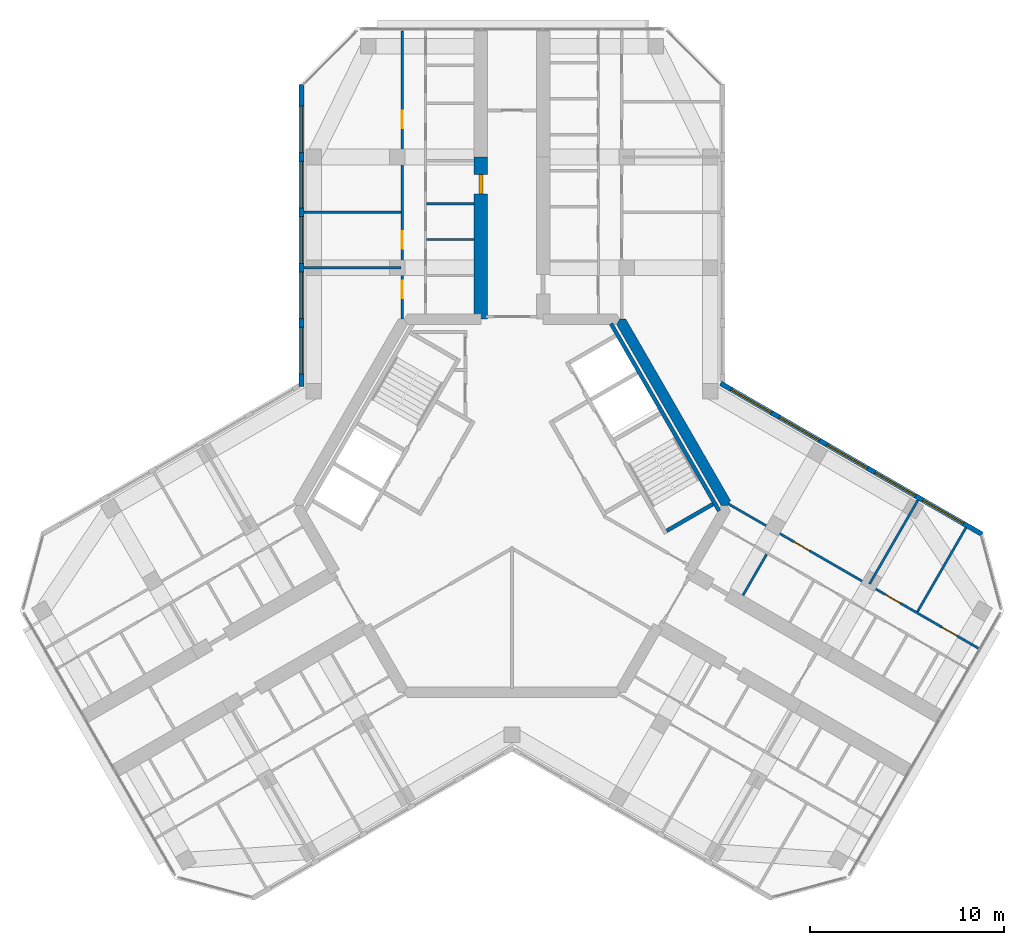
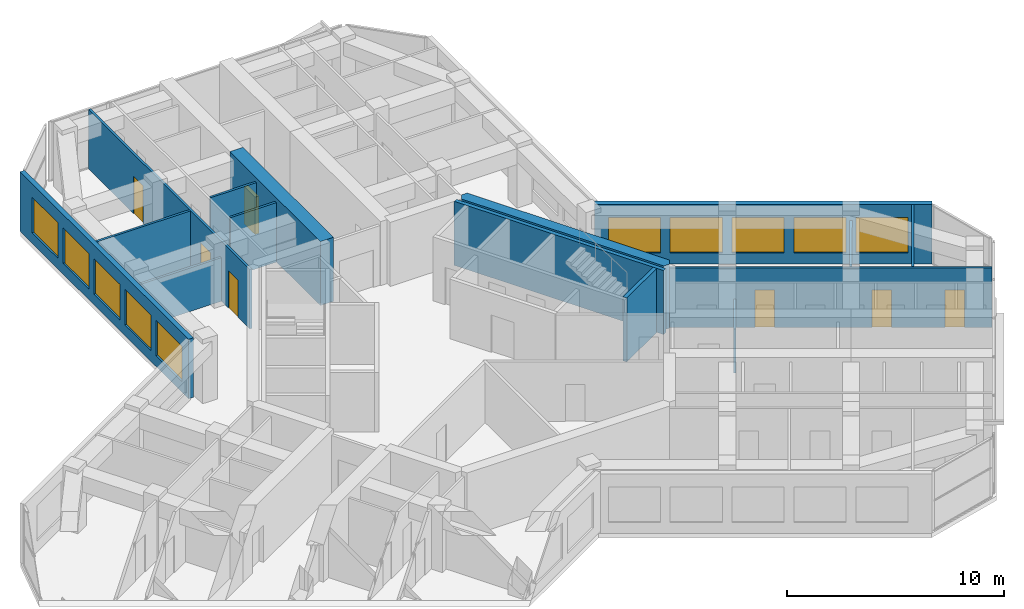
# One storey, part 11 of 14: 15 walls, 10 windows, 7 doors, 17 openings.
"""IFC4 building model written with IfcOpenShell, lengths in metres."""

from ifc_helpers import new_model, si_unit, direction, frame, frame_2d, origin, place, context, subcontext, project, spatial, polyline, rectangle, outline, extrude, material, layer, layer_set, type_object, element, fill, save


model = new_model("IFC4")

# Units and contexts
model_context = context("Model", 3, precision=1e-05, world=origin(), true_north=direction((0.0, 1.0)))
body_context = subcontext(model_context, "Body", "Model", "MODEL_VIEW")
ifc_project = project(units=[si_unit("LENGTHUNIT", "METRE"), si_unit("AREAUNIT", "SQUARE_METRE"), si_unit("VOLUMEUNIT", "CUBIC_METRE"), si_unit("PLANEANGLEUNIT", "RADIAN"), si_unit("MASSUNIT", "GRAM", prefix="KILO")], contexts=[model_context])

# Site, building, storey
site_placement = place(None, origin())
site = spatial("IfcSite", under=ifc_project, at=site_placement, CompositionType="ELEMENT")
building_placement = place(site_placement, origin())
building = spatial("IfcBuilding", under=site, at=building_placement, Name="Kosmar Iwan School Tower", CompositionType="ELEMENT")
storey_placement = place(building_placement, frame((0.0, 0.0, 274.60009765625)))
storey = spatial("IfcBuildingStorey", under=building, at=storey_placement, Name="L69", CompositionType="ELEMENT", Elevation=274.60009765625)

# Wall
ifc_material_1 = material(Name="Concrete C50/60", Category="concrete")
ifc_layer_1 = layer(ifc_material_1, 0.550048828125)
ifc_layer_set_1 = layer_set([ifc_layer_1], Name="Core wall 550")
wall_type_1 = type_object("IfcWallType", Name="Core wall 550", PredefinedType="SHEAR", material=ifc_layer_set_1)
wall_1_placement = place(storey_placement, origin())
element("IfcWall", 1, at=wall_1_placement, inside=storey, type_object=wall_type_1, Name="Core wall F030", PredefinedType="SHEAR", context=body_context, shape_type="SweptSolid", body=[
    extrude(outline(polyline([(10.767578125, 0.0), (11.085205078125, 0.0), (11.243896484375, 0.27490234375), (5.860107421875, 9.60009765625), (5.54248046875, 9.60009765625), (5.3837890625, 9.324951171875), (10.767578125, 0.0)])), origin(), (0.0, 0.0, 1.0), 3.599853515625),
])

# Wall, opening, door
ifc_material_2 = material(Name="Concrete C50/60", Category="concrete")
ifc_layer_2 = layer(ifc_material_2, 0.699951171875)
ifc_layer_set_2 = layer_set([ifc_layer_2], Name="Corridor buttress wall 700")
wall_type_2 = type_object("IfcWallType", Name="Corridor buttress wall 700", PredefinedType="SHEAR", material=ifc_layer_set_2)
wall_2_placement = place(storey_placement, frame((-1.60009765625, 9.60009765625, 0.0), z_axis=(0.0, 0.0, 1.0), x_axis=(0.0, 1.0, 0.0)))
wall_2 = element("IfcWall", 2, at=wall_2_placement, inside=storey, type_object=wall_type_2, Name="Corridor wall AL", PredefinedType="SHEAR", context=body_context, shape_type="SweptSolid", body=[
    extrude(rectangle(XDim=8.349853515625, YDim=0.699951171875, at=frame_2d((4.1748046875, 0.0))), origin(), (0.0, 0.0, 1.0), 3.599853515625),
])
opening_1_placement = place(wall_2_placement, frame((6.449951171875, 0.0, 0.0)))
opening_1 = element("IfcOpeningElement", 3, at=opening_1_placement, cuts=wall_2, Name="Opening D1", PredefinedType="OPENING", context=body_context, shape_type="SweptSolid", body=[
    extrude(rectangle(XDim=1.0, YDim=2.10009765625, at=frame_2d((0.5, 1.050048828125))), frame((0.0, 0.362060546875, 0.0), z_axis=(0.0, -1.0, 0.0), x_axis=(1.0, 0.0, 0.0)), (0.0, 0.0, 1.0), 0.723876953125),
])
ifc_material_3 = material(Name="Timber fire door in steel frame", Category="steel")
door_type_1 = type_object("IfcDoorType", Name="Flat entrance door 1000x2100", OperationType="SINGLE_SWING_LEFT", PredefinedType="DOOR", material=ifc_material_3)
door_1_placement = place(opening_1_placement, origin())
door_1 = element("IfcDoor", 4, at=door_1_placement, inside=storey, type_object=door_type_1, Name="Flat L69-AL1 entrance door", OperationType="SINGLE_SWING_LEFT", OverallHeight=2.10009765625, OverallWidth=1.0, PredefinedType="DOOR", context=body_context, shape_type="SweptSolid", body=[
    extrude(rectangle(XDim=1.0, YDim=2.10009765625, at=frame_2d((0.5, 1.050048828125))), frame((0.0, 0.10009765625, 0.0), z_axis=(0.0, -1.0, 0.0), x_axis=(1.0, 0.0, 0.0)), (0.0, 0.0, 1.0), 0.199951171875),
])
fill(opening_1, door_1)

# Wall, openings, doors
ifc_material_4 = material(Name="Gypsum board on steel studs", Category="steel")
ifc_layer_3 = layer(ifc_material_4, 0.1201171875)
ifc_layer_set_3 = layer_set([ifc_layer_3], Name="Dwelling partition 120")
wall_type_3 = type_object("IfcWallType", Name="Dwelling partition 120", PredefinedType="PARTITIONING", material=ifc_layer_set_3)
wall_3_placement = place(storey_placement, frame((-5.64990234375, 9.60009765625, 0.0), z_axis=(0.0, 0.0, 1.0), x_axis=(0.0, 1.0, 0.0)))
wall_3 = element("IfcWall", 5, at=wall_3_placement, inside=storey, type_object=wall_type_3, Name="Partition L69-AL1-W2", PredefinedType="PARTITIONING", context=body_context, shape_type="SweptSolid", body=[
    extrude(rectangle(XDim=14.844970703125, YDim=0.1201171875, at=frame_2d((7.42236328125, 0.0))), origin(), (0.0, 0.0, 1.0), 3.349853515625),
])
opening_2_placement = place(wall_3_placement, frame((1.074951171875, 0.0, 0.0)))
opening_2 = element("IfcOpeningElement", 6, at=opening_2_placement, cuts=wall_3, Name="Opening D2", PredefinedType="OPENING", context=body_context, shape_type="SweptSolid", body=[
    extrude(rectangle(XDim=0.89990234375, YDim=2.10009765625, at=frame_2d((0.449951171875, 1.050048828125))), frame((0.0, 0.072021484375, 0.0), z_axis=(0.0, -1.0, 0.0), x_axis=(1.0, 0.0, 0.0)), (0.0, 0.0, 1.0), 0.14404296875),
])
opening_3_placement = place(wall_3_placement, frame((3.625, 0.0, 0.0)))
opening_3 = element("IfcOpeningElement", 7, at=opening_3_placement, cuts=wall_3, Name="Opening D2", PredefinedType="OPENING", context=body_context, shape_type="SweptSolid", body=[
    extrude(rectangle(XDim=0.89990234375, YDim=2.10009765625, at=frame_2d((0.449951171875, 1.050048828125))), frame((0.0, 0.072021484375, 0.0), z_axis=(0.0, -1.0, 0.0), x_axis=(1.0, 0.0, 0.0)), (0.0, 0.0, 1.0), 0.14404296875),
])
opening_4_placement = place(wall_3_placement, frame((9.824951171875, 0.0, 0.0)))
opening_4 = element("IfcOpeningElement", 8, at=opening_4_placement, cuts=wall_3, Name="Opening D2", PredefinedType="OPENING", context=body_context, shape_type="SweptSolid", body=[
    extrude(rectangle(XDim=0.89990234375, YDim=2.10009765625, at=frame_2d((0.449951171875, 1.050048828125))), frame((0.0, 0.072021484375, 0.0), z_axis=(0.0, -1.0, 0.0), x_axis=(1.0, 0.0, 0.0)), (0.0, 0.0, 1.0), 0.14404296875),
])
ifc_material_5 = material(Name="Timber door in timber frame", Category="wood")
door_type_2 = type_object("IfcDoorType", Name="Internal door 900x2100", OperationType="SINGLE_SWING_LEFT", PredefinedType="DOOR", material=ifc_material_5)
door_2_placement = place(opening_2_placement, origin())
door_2 = element("IfcDoor", 9, at=door_2_placement, inside=storey, type_object=door_type_2, Name="Bedroom 1 door L69-AL1-F1", OperationType="SINGLE_SWING_RIGHT", OverallHeight=2.10009765625, OverallWidth=0.89990234375, PredefinedType="DOOR", context=body_context, shape_type="SweptSolid", body=[
    extrude(rectangle(XDim=0.89990234375, YDim=2.10009765625, at=frame_2d((0.449951171875, 1.050048828125))), frame((0.0, 0.02490234375, 0.0), z_axis=(0.0, -1.0, 0.0), x_axis=(1.0, 0.0, 0.0)), (0.0, 0.0, 1.0), 0.050048828125),
])
fill(opening_2, door_2)
door_3_placement = place(opening_3_placement, origin())
door_3 = element("IfcDoor", 10, at=door_3_placement, inside=storey, type_object=door_type_2, Name="Study door L69-AL1-F2", OperationType="SINGLE_SWING_LEFT", OverallHeight=2.10009765625, OverallWidth=0.89990234375, PredefinedType="DOOR", context=body_context, shape_type="SweptSolid", body=[
    extrude(rectangle(XDim=0.89990234375, YDim=2.10009765625, at=frame_2d((0.449951171875, 1.050048828125))), frame((0.0, 0.02490234375, 0.0), z_axis=(0.0, -1.0, 0.0), x_axis=(1.0, 0.0, 0.0)), (0.0, 0.0, 1.0), 0.050048828125),
])
fill(opening_3, door_3)
door_4_placement = place(opening_4_placement, origin())
door_4 = element("IfcDoor", 11, at=door_4_placement, inside=storey, type_object=door_type_2, Name="Living room and kitchen door L69-AL1-F3", OperationType="SINGLE_SWING_RIGHT", OverallHeight=2.10009765625, OverallWidth=0.89990234375, PredefinedType="DOOR", context=body_context, shape_type="SweptSolid", body=[
    extrude(rectangle(XDim=0.89990234375, YDim=2.10009765625, at=frame_2d((0.449951171875, 1.050048828125))), frame((0.0, 0.02490234375, 0.0), z_axis=(0.0, -1.0, 0.0), x_axis=(1.0, 0.0, 0.0)), (0.0, 0.0, 1.0), 0.050048828125),
])
fill(opening_4, door_4)

# Walls
wall_4_placement = place(storey_placement, frame((-5.7099609375, 12.25, 0.0), z_axis=(0.0, 0.0, 1.0), x_axis=(-1.0, 0.0, 0.0)))
element("IfcWall", 12, at=wall_4_placement, inside=storey, type_object=wall_type_3, Name="Partition L69-AL1-X1", PredefinedType="PARTITIONING", context=body_context, shape_type="SweptSolid", body=[
    extrude(rectangle(XDim=4.989990234375, YDim=0.1201171875, at=frame_2d((2.4951171875, 0.0))), origin(), (0.0, 0.0, 1.0), 2.449951171875),
])
wall_5_placement = place(storey_placement, frame((-5.7099609375, 15.10009765625, 0.0), z_axis=(0.0, 0.0, 1.0), x_axis=(-1.0, 0.0, 0.0)))
element("IfcWall", 13, at=wall_5_placement, inside=storey, type_object=wall_type_3, Name="Partition L69-AL1-X2", PredefinedType="PARTITIONING", context=body_context, shape_type="SweptSolid", body=[
    extrude(rectangle(XDim=4.989990234375, YDim=0.1201171875, at=frame_2d((2.4951171875, 0.0))), origin(), (0.0, 0.0, 1.0), 3.349853515625),
])
for number, where, z_axis, x_axis, name in (
    (14, (-1.949951171875, 13.699951171875, 0.0), (0.0, 0.0, 1.0), (-1.0, 0.0, 0.0), "Partition L69-AL1-Y2"),
    (15, (-1.949951171875, 15.550048828125, 0.0), (0.0, 0.0, 1.0), (-1.0, 0.0, 0.0), "Partition L69-AL1-Y3"),
):
    element("IfcWall", number, at=place(storey_placement, frame(where, z_axis=z_axis, x_axis=x_axis)), inside=storey, type_object=wall_type_3, Name=name, PredefinedType="PARTITIONING", context=body_context, shape_type="SweptSolid", body=[
        extrude(rectangle(XDim=2.43994140625, YDim=0.1201171875, at=frame_2d((1.219970703125, 0.0))), origin(), (0.0, 0.0, 1.0), 3.349853515625),
    ])

# Wall, openings, doors
wall_6_placement = place(storey_placement, frame((11.138916015625, 0.093017578125, 0.0), z_axis=(0.0, 0.0, 1.0), x_axis=(0.866030301974, -0.499991515992, 0.0)))
wall_6 = element("IfcWall", 16, at=wall_6_placement, inside=storey, type_object=wall_type_3, Name="Partition L69-CL1-W2", PredefinedType="PARTITIONING", context=body_context, shape_type="SweptSolid", body=[
    extrude(rectangle(XDim=14.844970703125, YDim=0.1201171875, at=frame_2d((7.42236328125, 0.0))), origin(), (0.0, 0.0, 1.0), 3.349853515625),
])
opening_5_placement = place(wall_6_placement, frame((3.925048828125, 0.0, 0.0)))
opening_5 = element("IfcOpeningElement", 17, at=opening_5_placement, cuts=wall_6, Name="Opening D2", PredefinedType="OPENING", context=body_context, shape_type="SweptSolid", body=[
    extrude(rectangle(XDim=0.89990234375, YDim=2.10009765625, at=frame_2d((0.449951171875, 1.050048828125))), frame((0.0, 0.072021484375, 0.0), z_axis=(0.0, -1.0, 0.0), x_axis=(1.0, 0.0, 0.0)), (0.0, 0.0, 1.0), 0.14404296875),
])
opening_6_placement = place(wall_6_placement, frame((9.324951171875, 0.0, 0.0)))
opening_6 = element("IfcOpeningElement", 18, at=opening_6_placement, cuts=wall_6, Name="Opening D2", PredefinedType="OPENING", context=body_context, shape_type="SweptSolid", body=[
    extrude(rectangle(XDim=0.89990234375, YDim=2.10009765625, at=frame_2d((0.449951171875, 1.050048828125))), frame((0.0, 0.072021484375, 0.0), z_axis=(0.0, -1.0, 0.0), x_axis=(1.0, 0.0, 0.0)), (0.0, 0.0, 1.0), 0.14404296875),
])
opening_7_placement = place(wall_6_placement, frame((12.675048828125, 0.0, 0.0)))
opening_7 = element("IfcOpeningElement", 19, at=opening_7_placement, cuts=wall_6, Name="Opening D2", PredefinedType="OPENING", context=body_context, shape_type="SweptSolid", body=[
    extrude(rectangle(XDim=0.89990234375, YDim=2.10009765625, at=frame_2d((0.449951171875, 1.050048828125))), frame((0.0, 0.072021484375, 0.0), z_axis=(0.0, -1.0, 0.0), x_axis=(1.0, 0.0, 0.0)), (0.0, 0.0, 1.0), 0.14404296875),
])
door_5_placement = place(opening_5_placement, origin())
door_5 = element("IfcDoor", 20, at=door_5_placement, inside=storey, type_object=door_type_2, Name="Living room door L69-CL1-F1", OperationType="SINGLE_SWING_LEFT", OverallHeight=2.10009765625, OverallWidth=0.89990234375, PredefinedType="DOOR", context=body_context, shape_type="SweptSolid", body=[
    extrude(rectangle(XDim=0.89990234375, YDim=2.10009765625, at=frame_2d((0.449951171875, 1.050048828125))), frame((0.0, 0.02490234375, 0.0), z_axis=(0.0, -1.0, 0.0), x_axis=(1.0, 0.0, 0.0)), (0.0, 0.0, 1.0), 0.050048828125),
])
fill(opening_5, door_5)
door_6_placement = place(opening_6_placement, origin())
door_6 = element("IfcDoor", 21, at=door_6_placement, inside=storey, type_object=door_type_2, Name="Kitchen and dining room door L69-CL1-F2", OperationType="SINGLE_SWING_RIGHT", OverallHeight=2.10009765625, OverallWidth=0.89990234375, PredefinedType="DOOR", context=body_context, shape_type="SweptSolid", body=[
    extrude(rectangle(XDim=0.89990234375, YDim=2.10009765625, at=frame_2d((0.449951171875, 1.050048828125))), frame((0.0, 0.02490234375, 0.0), z_axis=(0.0, -1.0, 0.0), x_axis=(1.0, 0.0, 0.0)), (0.0, 0.0, 1.0), 0.050048828125),
])
fill(opening_6, door_6)
door_7_placement = place(opening_7_placement, origin())
door_7 = element("IfcDoor", 22, at=door_7_placement, inside=storey, type_object=door_type_2, Name="Bedroom 1 door L69-CL1-F3", OperationType="SINGLE_SWING_RIGHT", OverallHeight=2.10009765625, OverallWidth=0.89990234375, PredefinedType="DOOR", context=body_context, shape_type="SweptSolid", body=[
    extrude(rectangle(XDim=0.89990234375, YDim=2.10009765625, at=frame_2d((0.449951171875, 1.050048828125))), frame((0.0, 0.02490234375, 0.0), z_axis=(0.0, -1.0, 0.0), x_axis=(1.0, 0.0, 0.0)), (0.0, 0.0, 1.0), 0.050048828125),
])
fill(opening_7, door_7)

# Walls
wall_7_placement = place(storey_placement, frame((18.400146484375, -4.030029296875, 0.0), z_axis=(0.0, 0.0, 1.0), x_axis=(0.500011847778, 0.866018563358, 0.0)))
element("IfcWall", 23, at=wall_7_placement, inside=storey, type_object=wall_type_3, Name="Partition L69-CL1-X1", PredefinedType="PARTITIONING", context=body_context, shape_type="SweptSolid", body=[
    extrude(rectangle(XDim=4.990234375, YDim=0.1201171875, at=frame_2d((2.4951171875, 0.0))), origin(), (0.0, 0.0, 1.0), 2.449951171875),
])
wall_8_placement = place(storey_placement, frame((20.868408203125, -5.455078125, 0.0), z_axis=(0.0, 0.0, 1.0), x_axis=(0.499975153383, 0.86603974851, 0.0)))
element("IfcWall", 24, at=wall_8_placement, inside=storey, type_object=wall_type_3, Name="Partition L69-CL1-X2", PredefinedType="PARTITIONING", context=body_context, shape_type="SweptSolid", body=[
    extrude(rectangle(XDim=4.989990234375, YDim=0.1201171875, at=frame_2d((2.4951171875, 0.0))), origin(), (0.0, 0.0, 1.0), 3.349853515625),
])
wall_9_placement = place(storey_placement, frame((11.886962890625, -4.611328125, 0.0), z_axis=(0.0, 0.0, 1.0), x_axis=(0.499959183527, 0.866048967903, 0.0)))
element("IfcWall", 25, at=wall_9_placement, inside=storey, type_object=wall_type_3, Name="Partition L69-CL1-Y1", PredefinedType="PARTITIONING", context=body_context, shape_type="SweptSolid", body=[
    extrude(rectangle(XDim=2.440185546875, YDim=0.1201171875, at=frame_2d((1.22021484375, 0.0))), origin(), (0.0, 0.0, 1.0), 2.449951171875),
])

# Wall, openings, windows
ifc_material_6 = material(Name="Black aluminium rainscreen on insulated framing", Category="aluminium")
ifc_layer_4 = layer(ifc_material_6, 0.25)
ifc_layer_set_4 = layer_set([ifc_layer_4], Name="External wall rainscreen 250")
wall_type_4 = type_object("IfcWallType", Name="External wall rainscreen 250", PredefinedType="SOLIDWALL", material=ifc_layer_set_4)
wall_10_placement = place(storey_placement, frame((10.73681640625, 6.30078125, 0.0), z_axis=(0.0, 0.0, 1.0), x_axis=(0.866023091024, -0.500004005797, 0.0)))
wall_10 = element("IfcWall", 26, at=wall_10_placement, inside=storey, type_object=wall_type_4, Name="External wall CL L69", PredefinedType="SOLIDWALL", context=body_context, shape_type="SweptSolid", body=[
    extrude(rectangle(XDim=15.537353515625, YDim=0.25, at=frame_2d((7.7685546875, 0.0))), origin(), (0.0, 0.0, 1.0), 3.349853515625),
])
opening_8_placement = place(wall_10_placement, frame((0.626953125, 0.0, 0.60009765625)))
opening_8 = element("IfcOpeningElement", 27, at=opening_8_placement, cuts=wall_10, Name="Opening W6", PredefinedType="OPENING", context=body_context, shape_type="SweptSolid", body=[
    extrude(rectangle(XDim=2.39990234375, YDim=2.0, at=frame_2d((1.199951171875, 1.0))), frame((0.0, 0.136962890625, 0.0), z_axis=(0.0, -1.0, 0.0), x_axis=(1.0, 0.0, 0.0)), (0.0, 0.0, 1.0), 0.27392578125),
])
opening_9_placement = place(wall_10_placement, frame((3.47705078125, 0.0, 0.60009765625)))
opening_9 = element("IfcOpeningElement", 28, at=opening_9_placement, cuts=wall_10, Name="Opening W6", PredefinedType="OPENING", context=body_context, shape_type="SweptSolid", body=[
    extrude(rectangle(XDim=2.39990234375, YDim=2.0, at=frame_2d((1.199951171875, 1.0))), frame((0.0, 0.136962890625, 0.0), z_axis=(0.0, -1.0, 0.0), x_axis=(1.0, 0.0, 0.0)), (0.0, 0.0, 1.0), 0.27392578125),
])
opening_10_placement = place(wall_10_placement, frame((6.326904296875, 0.0, 0.60009765625)))
opening_10 = element("IfcOpeningElement", 29, at=opening_10_placement, cuts=wall_10, Name="Opening W6", PredefinedType="OPENING", context=body_context, shape_type="SweptSolid", body=[
    extrude(rectangle(XDim=2.39990234375, YDim=2.0, at=frame_2d((1.199951171875, 1.0))), frame((0.0, 0.136962890625, 0.0), z_axis=(0.0, -1.0, 0.0), x_axis=(1.0, 0.0, 0.0)), (0.0, 0.0, 1.0), 0.27392578125),
])
opening_11_placement = place(wall_10_placement, frame((9.177001953125, 0.0, 0.60009765625)))
opening_11 = element("IfcOpeningElement", 30, at=opening_11_placement, cuts=wall_10, Name="Opening W6", PredefinedType="OPENING", context=body_context, shape_type="SweptSolid", body=[
    extrude(rectangle(XDim=2.39990234375, YDim=2.0, at=frame_2d((1.199951171875, 1.0))), frame((0.0, 0.136962890625, 0.0), z_axis=(0.0, -1.0, 0.0), x_axis=(1.0, 0.0, 0.0)), (0.0, 0.0, 1.0), 0.27392578125),
])
opening_12_placement = place(wall_10_placement, frame((12.027099609375, 0.0, 0.60009765625)))
opening_12 = element("IfcOpeningElement", 31, at=opening_12_placement, cuts=wall_10, Name="Opening W6", PredefinedType="OPENING", context=body_context, shape_type="SweptSolid", body=[
    extrude(rectangle(XDim=2.39990234375, YDim=2.0, at=frame_2d((1.199951171875, 1.0))), frame((0.0, 0.136962890625, 0.0), z_axis=(0.0, -1.0, 0.0), x_axis=(1.0, 0.0, 0.0)), (0.0, 0.0, 1.0), 0.27392578125),
])
ifc_material_7 = material(Name="Black aluminium frame with dark triple glazing", Category="aluminium")
window_type = type_object("IfcWindowType", Name="Window 2400x2000", PartitioningType="SINGLE_PANEL", PredefinedType="WINDOW", material=ifc_material_7)
window_1_placement = place(opening_8_placement, origin())
window_1 = element("IfcWindow", 32, at=window_1_placement, inside=storey, type_object=window_type, Name="Window CL L69 -1", OverallHeight=2.0, OverallWidth=2.39990234375, PartitioningType="SINGLE_PANEL", PredefinedType="WINDOW", context=body_context, shape_type="SweptSolid", body=[
    extrude(rectangle(XDim=2.39990234375, YDim=2.0, at=frame_2d((1.199951171875, 1.0))), frame((0.0, 0.030029296875, 0.0), z_axis=(0.0, -1.0, 0.0), x_axis=(1.0, 0.0, 0.0)), (0.0, 0.0, 1.0), 0.06005859375),
])
fill(opening_8, window_1)
window_2_placement = place(opening_9_placement, origin())
window_2 = element("IfcWindow", 33, at=window_2_placement, inside=storey, type_object=window_type, Name="Window CL L69 0", OverallHeight=2.0, OverallWidth=2.39990234375, PartitioningType="SINGLE_PANEL", PredefinedType="WINDOW", context=body_context, shape_type="SweptSolid", body=[
    extrude(rectangle(XDim=2.39990234375, YDim=2.0, at=frame_2d((1.199951171875, 1.0))), frame((0.0, 0.030029296875, 0.0), z_axis=(0.0, -1.0, 0.0), x_axis=(1.0, 0.0, 0.0)), (0.0, 0.0, 1.0), 0.06005859375),
])
fill(opening_9, window_2)
window_3_placement = place(opening_10_placement, origin())
window_3 = element("IfcWindow", 34, at=window_3_placement, inside=storey, type_object=window_type, Name="Window CL L69 1", OverallHeight=2.0, OverallWidth=2.39990234375, PartitioningType="SINGLE_PANEL", PredefinedType="WINDOW", context=body_context, shape_type="SweptSolid", body=[
    extrude(rectangle(XDim=2.39990234375, YDim=2.0, at=frame_2d((1.199951171875, 1.0))), frame((0.0, 0.030029296875, 0.0), z_axis=(0.0, -1.0, 0.0), x_axis=(1.0, 0.0, 0.0)), (0.0, 0.0, 1.0), 0.06005859375),
])
fill(opening_10, window_3)
window_4_placement = place(opening_11_placement, origin())
window_4 = element("IfcWindow", 35, at=window_4_placement, inside=storey, type_object=window_type, Name="Window CL L69 2", OverallHeight=2.0, OverallWidth=2.39990234375, PartitioningType="SINGLE_PANEL", PredefinedType="WINDOW", context=body_context, shape_type="SweptSolid", body=[
    extrude(rectangle(XDim=2.39990234375, YDim=2.0, at=frame_2d((1.199951171875, 1.0))), frame((0.0, 0.030029296875, 0.0), z_axis=(0.0, -1.0, 0.0), x_axis=(1.0, 0.0, 0.0)), (0.0, 0.0, 1.0), 0.06005859375),
])
fill(opening_11, window_4)
window_5_placement = place(opening_12_placement, origin())
window_5 = element("IfcWindow", 36, at=window_5_placement, inside=storey, type_object=window_type, Name="Window CL L69 3", OverallHeight=2.0, OverallWidth=2.39990234375, PartitioningType="SINGLE_PANEL", PredefinedType="WINDOW", context=body_context, shape_type="SweptSolid", body=[
    extrude(rectangle(XDim=2.39990234375, YDim=2.0, at=frame_2d((1.199951171875, 1.0))), frame((0.0, 0.030029296875, 0.0), z_axis=(0.0, -1.0, 0.0), x_axis=(1.0, 0.0, 0.0)), (0.0, 0.0, 1.0), 0.06005859375),
])
fill(opening_12, window_5)

wall_11_placement = place(storey_placement, frame((-10.824951171875, 6.14794921875, 0.0), z_axis=(0.0, 0.0, 1.0), x_axis=(0.0, 1.0, 0.0)))
wall_11 = element("IfcWall", 37, at=wall_11_placement, inside=storey, type_object=wall_type_4, Name="External wall AL L69", PredefinedType="SOLIDWALL", context=body_context, shape_type="SweptSolid", body=[
    extrude(rectangle(XDim=15.537353515625, YDim=0.25, at=frame_2d((7.7685546875, 0.0))), origin(), (0.0, 0.0, 1.0), 3.349853515625),
])
opening_13_placement = place(wall_11_placement, frame((0.626953125, 0.0, 0.60009765625)))
opening_13 = element("IfcOpeningElement", 38, at=opening_13_placement, cuts=wall_11, Name="Opening W6", PredefinedType="OPENING", context=body_context, shape_type="SweptSolid", body=[
    extrude(rectangle(XDim=2.39990234375, YDim=2.0, at=frame_2d((1.199951171875, 1.0))), frame((0.0, 0.136962890625, 0.0), z_axis=(0.0, -1.0, 0.0), x_axis=(1.0, 0.0, 0.0)), (0.0, 0.0, 1.0), 0.27392578125),
])
opening_14_placement = place(wall_11_placement, frame((3.47705078125, 0.0, 0.60009765625)))
opening_14 = element("IfcOpeningElement", 39, at=opening_14_placement, cuts=wall_11, Name="Opening W6", PredefinedType="OPENING", context=body_context, shape_type="SweptSolid", body=[
    extrude(rectangle(XDim=2.39990234375, YDim=2.0, at=frame_2d((1.199951171875, 1.0))), frame((0.0, 0.136962890625, 0.0), z_axis=(0.0, -1.0, 0.0), x_axis=(1.0, 0.0, 0.0)), (0.0, 0.0, 1.0), 0.27392578125),
])
opening_15_placement = place(wall_11_placement, frame((6.326904296875, 0.0, 0.60009765625)))
opening_15 = element("IfcOpeningElement", 40, at=opening_15_placement, cuts=wall_11, Name="Opening W6", PredefinedType="OPENING", context=body_context, shape_type="SweptSolid", body=[
    extrude(rectangle(XDim=2.39990234375, YDim=2.0, at=frame_2d((1.199951171875, 1.0))), frame((0.0, 0.136962890625, 0.0), z_axis=(0.0, -1.0, 0.0), x_axis=(1.0, 0.0, 0.0)), (0.0, 0.0, 1.0), 0.27392578125),
])
opening_16_placement = place(wall_11_placement, frame((9.177001953125, 0.0, 0.60009765625)))
opening_16 = element("IfcOpeningElement", 41, at=opening_16_placement, cuts=wall_11, Name="Opening W6", PredefinedType="OPENING", context=body_context, shape_type="SweptSolid", body=[
    extrude(rectangle(XDim=2.39990234375, YDim=2.0, at=frame_2d((1.199951171875, 1.0))), frame((0.0, 0.136962890625, 0.0), z_axis=(0.0, -1.0, 0.0), x_axis=(1.0, 0.0, 0.0)), (0.0, 0.0, 1.0), 0.27392578125),
])
opening_17_placement = place(wall_11_placement, frame((12.027099609375, 0.0, 0.60009765625)))
opening_17 = element("IfcOpeningElement", 42, at=opening_17_placement, cuts=wall_11, Name="Opening W6", PredefinedType="OPENING", context=body_context, shape_type="SweptSolid", body=[
    extrude(rectangle(XDim=2.39990234375, YDim=2.0, at=frame_2d((1.199951171875, 1.0))), frame((0.0, 0.136962890625, 0.0), z_axis=(0.0, -1.0, 0.0), x_axis=(1.0, 0.0, 0.0)), (0.0, 0.0, 1.0), 0.27392578125),
])
window_6_placement = place(opening_13_placement, origin())
window_6 = element("IfcWindow", 43, at=window_6_placement, inside=storey, type_object=window_type, Name="Window AL L69 -1", OverallHeight=2.0, OverallWidth=2.39990234375, PartitioningType="SINGLE_PANEL", PredefinedType="WINDOW", context=body_context, shape_type="SweptSolid", body=[
    extrude(rectangle(XDim=2.39990234375, YDim=2.0, at=frame_2d((1.199951171875, 1.0))), frame((0.0, 0.030029296875, 0.0), z_axis=(0.0, -1.0, 0.0), x_axis=(1.0, 0.0, 0.0)), (0.0, 0.0, 1.0), 0.06005859375),
])
fill(opening_13, window_6)
window_7_placement = place(opening_14_placement, origin())
window_7 = element("IfcWindow", 44, at=window_7_placement, inside=storey, type_object=window_type, Name="Window AL L69 0", OverallHeight=2.0, OverallWidth=2.39990234375, PartitioningType="SINGLE_PANEL", PredefinedType="WINDOW", context=body_context, shape_type="SweptSolid", body=[
    extrude(rectangle(XDim=2.39990234375, YDim=2.0, at=frame_2d((1.199951171875, 1.0))), frame((0.0, 0.030029296875, 0.0), z_axis=(0.0, -1.0, 0.0), x_axis=(1.0, 0.0, 0.0)), (0.0, 0.0, 1.0), 0.06005859375),
])
fill(opening_14, window_7)
window_8_placement = place(opening_15_placement, origin())
window_8 = element("IfcWindow", 45, at=window_8_placement, inside=storey, type_object=window_type, Name="Window AL L69 1", OverallHeight=2.0, OverallWidth=2.39990234375, PartitioningType="SINGLE_PANEL", PredefinedType="WINDOW", context=body_context, shape_type="SweptSolid", body=[
    extrude(rectangle(XDim=2.39990234375, YDim=2.0, at=frame_2d((1.199951171875, 1.0))), frame((0.0, 0.030029296875, 0.0), z_axis=(0.0, -1.0, 0.0), x_axis=(1.0, 0.0, 0.0)), (0.0, 0.0, 1.0), 0.06005859375),
])
fill(opening_15, window_8)
window_9_placement = place(opening_16_placement, origin())
window_9 = element("IfcWindow", 46, at=window_9_placement, inside=storey, type_object=window_type, Name="Window AL L69 2", OverallHeight=2.0, OverallWidth=2.39990234375, PartitioningType="SINGLE_PANEL", PredefinedType="WINDOW", context=body_context, shape_type="SweptSolid", body=[
    extrude(rectangle(XDim=2.39990234375, YDim=2.0, at=frame_2d((1.199951171875, 1.0))), frame((0.0, 0.030029296875, 0.0), z_axis=(0.0, -1.0, 0.0), x_axis=(1.0, 0.0, 0.0)), (0.0, 0.0, 1.0), 0.06005859375),
])
fill(opening_16, window_9)
window_10_placement = place(opening_17_placement, origin())
window_10 = element("IfcWindow", 47, at=window_10_placement, inside=storey, type_object=window_type, Name="Window AL L69 3", OverallHeight=2.0, OverallWidth=2.39990234375, PartitioningType="SINGLE_PANEL", PredefinedType="WINDOW", context=body_context, shape_type="SweptSolid", body=[
    extrude(rectangle(XDim=2.39990234375, YDim=2.0, at=frame_2d((1.199951171875, 1.0))), frame((0.0, 0.030029296875, 0.0), z_axis=(0.0, -1.0, 0.0), x_axis=(1.0, 0.0, 0.0)), (0.0, 0.0, 1.0), 0.06005859375),
])
fill(opening_17, window_10)

# Walls
ifc_material_8 = material(Name="Concrete C50/60", Category="concrete")
ifc_layer_5 = layer(ifc_material_8, 0.199951171875)
ifc_layer_set_5 = layer_set([ifc_layer_5], Name="Lift shaft wall 200")
wall_type_5 = type_object("IfcWallType", Name="Lift shaft wall 200", PredefinedType="SHEAR", material=ifc_layer_set_5)
wall_12_placement = place(storey_placement, frame((10.66650390625, -0.27490234375, 0.0), z_axis=(0.0, 0.0, 1.0), x_axis=(-0.499994302092, 0.866028693448, 0.0)))
element("IfcWall", 48, at=wall_12_placement, inside=storey, type_object=wall_type_5, Name="Lift and stair back wall AC", PredefinedType="SHEAR", context=body_context, shape_type="SweptSolid", body=[
    extrude(rectangle(XDim=11.142822265625, YDim=0.199951171875, at=frame_2d((5.5712890625, 0.0))), origin(), (0.0, 0.0, 1.0), 3.599853515625),
])
ifc_material_9 = material(Name="Concrete C50/60", Category="concrete")
ifc_layer_6 = layer(ifc_material_9, 0.199951171875)
ifc_layer_set_6 = layer_set([ifc_layer_6], Name="Stair enclosure wall 200")
wall_type_6 = type_object("IfcWallType", Name="Stair enclosure wall 200", PredefinedType="SHEAR", material=ifc_layer_set_6)
wall_13_placement = place(storey_placement, frame((7.962646484375, -1.291748046875, 0.0), z_axis=(0.0, 0.0, 1.0), x_axis=(0.866027397988, 0.499996545922, 0.0)))
element("IfcWall", 49, at=wall_13_placement, inside=storey, type_object=wall_type_6, Name="Stair ST1 wall", PredefinedType="SHEAR", context=body_context, shape_type="SweptSolid", body=[
    extrude(rectangle(XDim=2.75, YDim=0.199951171875, at=frame_2d((1.375, 0.0))), origin(), (0.0, 0.0, 1.0), 3.599853515625),
])

save(model, "model.ifc")
